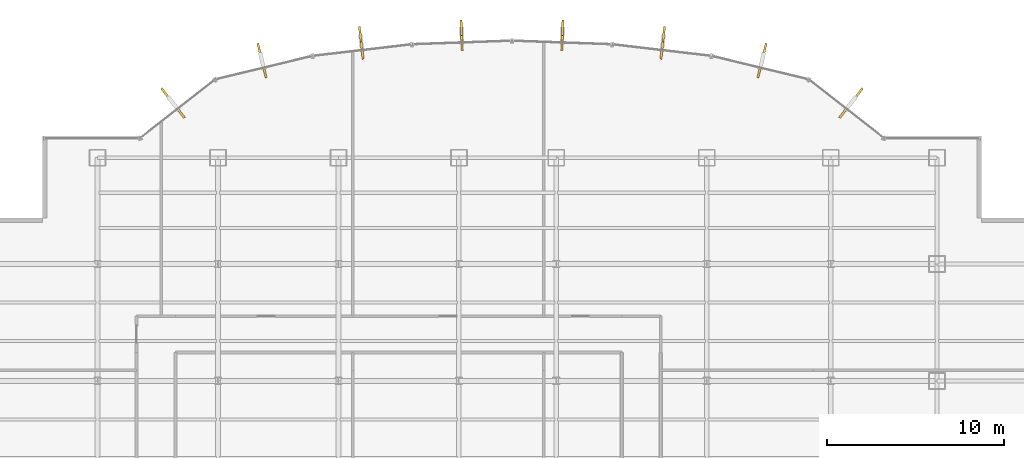
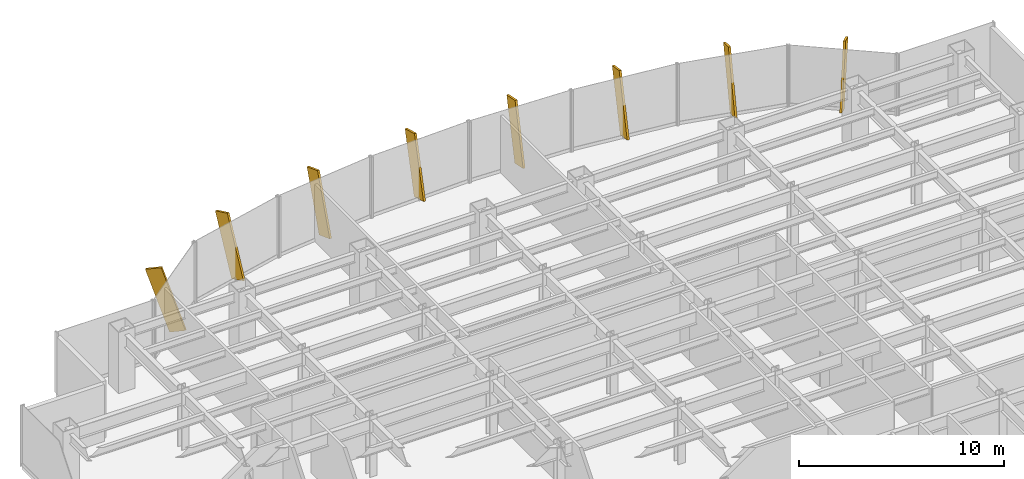
# One storey, part 21 of 22: 8 shading devices.
"""IFC4 building model written with IfcOpenShell, lengths in metres."""

from ifc_helpers import new_model, si_unit, derived_unit, direction, frame, origin, origin_2d, place, context, subcontext, project, spatial, rectangle, extrude, source, transform, mapped, material, type_object, element, save


model = new_model("IFC4")

# Units and contexts
model_context = context("Model", 3, precision=1e-05, world=origin(), true_north=direction((0.0, 1.0)))
body_context = subcontext(model_context, "Body", "Model", "MODEL_VIEW")
ifc_project = project(units=[si_unit("LENGTHUNIT", "METRE"), si_unit("AREAUNIT", "SQUARE_METRE"), si_unit("VOLUMEUNIT", "CUBIC_METRE"), si_unit("PLANEANGLEUNIT", "RADIAN"), si_unit("MASSUNIT", "GRAM", prefix="KILO"), derived_unit("THERMALTRANSMITTANCEUNIT", [(si_unit("POWERUNIT", "WATT"), 1), (si_unit("LENGTHUNIT", "METRE"), -2), (si_unit("THERMODYNAMICTEMPERATUREUNIT", "KELVIN"), -1)])], contexts=[model_context])

# Site, building, storey
site_placement = place(None, origin())
site = spatial("IfcSite", under=ifc_project, at=site_placement, CompositionType="ELEMENT")
building_placement = place(site_placement, origin())
building = spatial("IfcBuilding", under=site, at=building_placement, Name="Skarnbrae Concourse Arena and Tower", CompositionType="ELEMENT")
storey_placement = place(building_placement, frame((0.0, 0.0, 36.14990234375)))
storey = spatial("IfcBuildingStorey", under=building, at=storey_placement, Name="L07", CompositionType="ELEMENT", Elevation=36.14990234375)

# Shading devices
ifc_material = material(Name="Bronze anodised aluminium 6063-T6", Category="aluminium")
shading_device_type = type_object("IfcShadingDeviceType", Name="SHD-BRONZE-FIN-900", PredefinedType="USERDEFINED", material=ifc_material)
shared_shape = source(origin(), body_context, "Body", "SweptSolid", [
    extrude(rectangle(XDim=0.1201171875, YDim=0.89990234375, at=origin_2d()), origin(), (0.0, 0.0, 1.0), 3.64990234375),
])
for number, where, z_axis, x_axis, name in (
    (1, (49.74755859375, 42.982666015625, 0.1162109375), (0.216070241151, 0.276229215195, 0.936488692704), (0.787656027369, -0.616115234797, 0.0), "L07 Outward-leaning bronze shading fin 08"),
    (2, (44.983154296875, 45.326416015625, 0.0927734375), (0.073933727823, 0.305675430725, 0.949260941439), (0.971973311258, -0.235091221021, 0.0), "L07 Outward-leaning bronze shading fin 09"),
    (3, (39.454345703125, 46.391845703125, 0.0693359375), (0.031636196031, 0.270774248001, 0.962122891174), (0.993243759876, -0.116046686587, 0.0), "L07 Outward-leaning bronze shading fin 10"),
    (4, (33.826904296875, 46.899169921875, 0.049072265625), (0.00824514504, 0.229561997551, 0.973259115993), (0.999355613141, -0.035893710914, 0.0), "L07 Outward-leaning bronze shading fin 11"),
    (5, (28.173095703125, 46.899169921875, 0.049072265625), (-0.00824514504, 0.229561997551, 0.973259115993), (0.999355613141, 0.035893710914, 0.0), "L07 Outward-leaning bronze shading fin 12"),
    (6, (22.545654296875, 46.391845703125, 0.0693359375), (-0.031636196031, 0.270774248001, 0.962122891174), (0.993243759876, 0.116046686587, 0.0), "L07 Outward-leaning bronze shading fin 13"),
    (7, (17.016845703125, 45.326416015625, 0.0927734375), (-0.073933727823, 0.305675430725, 0.949260941439), (0.971973311258, 0.235091221021, 0.0), "L07 Outward-leaning bronze shading fin 14"),
    (8, (12.25244140625, 42.982666015625, 0.1162109375), (-0.216070241151, 0.276229215195, 0.936488692704), (0.787656027369, 0.616115234797, 0.0), "L07 Outward-leaning bronze shading fin 15"),
):
    element("IfcShadingDevice", number, at=place(storey_placement, frame(where, z_axis=z_axis, x_axis=x_axis)), inside=storey, type_object=shading_device_type, Name=name, ObjectType="FIN", PredefinedType="USERDEFINED", context=body_context, shape_type="MappedRepresentation", body=[
        mapped(shared_shape, transform((0.0, 0.0, 0.0))),
    ])

save(model, "model.ifc")
